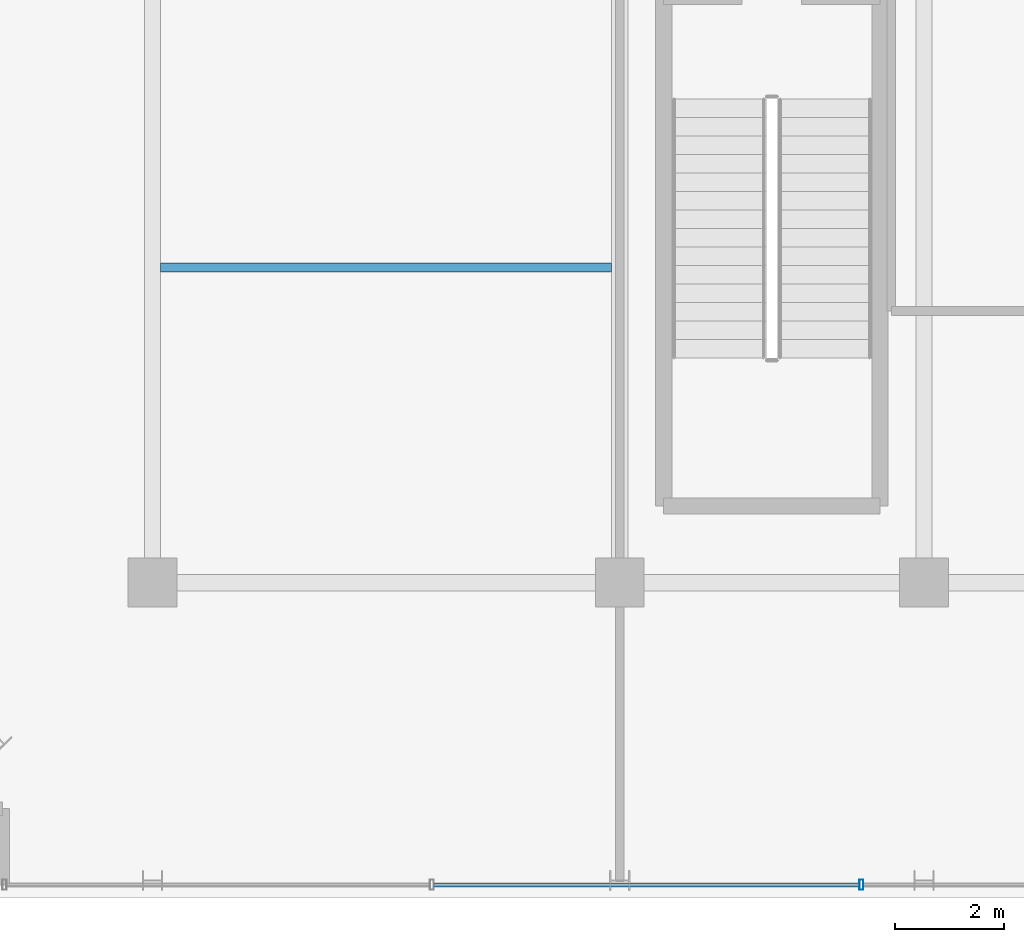
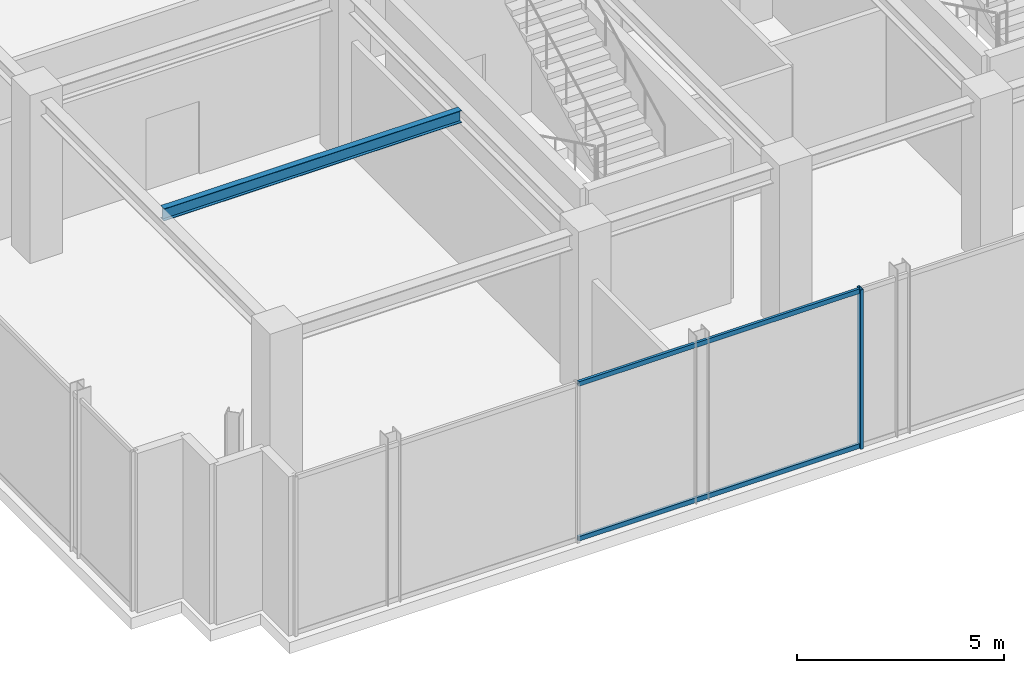
# One storey, part 6 of 28: 3 members, 1 beam, 1 element without a shape of its own.
"""IFC4 building model written with IfcOpenShell, lengths in metres."""

from ifc_helpers import new_model, si_unit, direction, frame, origin, origin_2d, place, context, subcontext, project, spatial, hollow_rectangle, i_section, extrude, source, transform, mapped, material, material_profile, profile_set, type_object, element, aggregate, save


model = new_model("IFC4")

# Units and contexts
model_context = context("Model", 3, precision=1e-05, world=origin(), true_north=direction((0.0, 1.0)))
body_context = subcontext(model_context, "Body", "Model", "MODEL_VIEW")
ifc_project = project(units=[si_unit("LENGTHUNIT", "METRE"), si_unit("AREAUNIT", "SQUARE_METRE"), si_unit("VOLUMEUNIT", "CUBIC_METRE"), si_unit("PLANEANGLEUNIT", "RADIAN"), si_unit("MASSUNIT", "GRAM", prefix="KILO")], contexts=[model_context])

# Site, building, storey
site_placement = place(None, origin())
site = spatial("IfcSite", under=ifc_project, at=site_placement, CompositionType="ELEMENT")
building_placement = place(site_placement, origin())
building = spatial("IfcBuilding", under=site, at=building_placement, Name="Nahalor Promenade Grand Hotel", CompositionType="ELEMENT")
storey_placement = place(building_placement, frame((0.0, 0.0, 352.050048828125)))
storey = spatial("IfcBuildingStorey", under=building, at=storey_placement, Name="L90", CompositionType="ELEMENT", Elevation=352.050048828125)

# Beam
ifc_material_1 = material(Name="Steel S355JR", Category="steel")
ifc_material_profile_1 = material_profile(ifc_material_1, i_section(OverallWidth=0.17, OverallDepth=0.36, WebThickness=0.008, FlangeThickness=0.0127, at=origin_2d()), Name="IPE 360")
ifc_profile_set_1 = profile_set([ifc_material_profile_1], Name="Steel S355JR")
beam_type = type_object("IfcBeamType", Name="Beam-Joist-IPE360", PredefinedType="JOIST", material=ifc_profile_set_1)
shared_shape_1 = source(origin(), body_context, "Body", "SweptSolid", [
    extrude(i_section(OverallWidth=0.17, OverallDepth=0.36, WebThickness=0.008, FlangeThickness=0.0127, at=origin_2d()), origin(), (0.0, 0.0, 1.0), 8.300048828125),
])
beam_placement = place(storey_placement, frame((-16.85009765625, -11.199951171875, 4.52001953125), z_axis=(1.0, 0.0, 0.0), x_axis=(0.0, 1.0, 0.0)))
element("IfcBeam", 1, at=beam_placement, inside=storey, type_object=beam_type, Name="BM-L90-JSW-0-1", PredefinedType="JOIST", context=body_context, shape_type="MappedRepresentation", body=[
    mapped(shared_shape_1, transform((0.0, 0.0, 0.0), scale=1.0)),
])

# Curtain wall, members
ifc_material_2 = material(Name="Anodised Bronze Aluminium EN AW-6063 T6", Category="aluminium")
curtain_wall_type = type_object("IfcCurtainWallType", Name="CW6 Crown Botanical Conservatory Curtain Wall", PredefinedType="USERDEFINED", material=ifc_material_2)
curtain_wall_placement = place(storey_placement, origin())
curtain_wall = element("IfcCurtainWall", 2, at=curtain_wall_placement, inside=storey, type_object=curtain_wall_type, Name="L90 Curtain Wall CW-L90-S-1", ObjectType="UNITISED_CURTAIN_WALL", PredefinedType="USERDEFINED")
ifc_material_profile_2 = material_profile(ifc_material_2, hollow_rectangle(XDim=0.075, YDim=0.19, WallThickness=0.005, at=origin_2d()), Name="CWM 75x190x5")
ifc_profile_set_2 = profile_set([ifc_material_profile_2], Name="Anodised Bronze Aluminium EN AW-6063 T6")
member_type_1 = type_object("IfcMemberType", Name="CWM6 Conservatory Bronze Mullion 75x190", PredefinedType="MULLION", material=ifc_profile_set_2)
shared_shape_2 = source(origin(), body_context, "Body", "SweptSolid", [
    extrude(hollow_rectangle(XDim=0.075, YDim=0.19, WallThickness=0.005, at=origin_2d()), origin(), (0.0, 0.0, 1.0), 4.699951171875),
])
member_1_placement = place(storey_placement, frame((-3.951904296875, -22.56005859375, 0.0), z_axis=(0.0, 0.0, 1.0), x_axis=(1.0, 0.0, 0.0)))
member_1 = element("IfcMember", 3, at=member_1_placement, type_object=member_type_1, Name="CW-L90-S-1 Mullion 2", PredefinedType="MULLION", context=body_context, shape_type="MappedRepresentation", body=[
    mapped(shared_shape_2, transform((0.0, 0.0, 0.0), scale=1.0)),
])
ifc_material_profile_3 = material_profile(ifc_material_2, hollow_rectangle(XDim=0.075, YDim=0.135, WallThickness=0.004, at=origin_2d()), Name="CWT 75x135x4")
ifc_profile_set_3 = profile_set([ifc_material_profile_3], Name="Anodised Bronze Aluminium EN AW-6063 T6")
member_type_2 = type_object("IfcMemberType", Name="CWT6 Conservatory Transom 75x135", PredefinedType="USERDEFINED", material=ifc_profile_set_3)
shared_shape_3 = source(origin(), body_context, "Body", "SweptSolid", [
    extrude(hollow_rectangle(XDim=0.075, YDim=0.135, WallThickness=0.004, at=origin_2d()), origin(), (0.0, 0.0, 1.0), 7.8291015625),
])
member_2_placement = place(storey_placement, frame((-11.818603515625, -22.56005859375, 0.0673828125), z_axis=(1.0, 0.0, 0.0), x_axis=(0.0, 1.0, 0.0)))
member_2 = element("IfcMember", 4, at=member_2_placement, type_object=member_type_2, Name="CW-L90-S-1 Transom 1-0", ObjectType="TRANSOM", PredefinedType="USERDEFINED", context=body_context, shape_type="MappedRepresentation", body=[
    mapped(shared_shape_3, transform((0.0, 0.0, 0.0), scale=1.0)),
])
member_3_placement = place(storey_placement, frame((-11.818603515625, -22.56005859375, 4.632568359375), z_axis=(1.0, 0.0, 0.0), x_axis=(0.0, 1.0, 0.0)))
member_3 = element("IfcMember", 5, at=member_3_placement, type_object=member_type_2, Name="CW-L90-S-1 Transom 1-1", ObjectType="TRANSOM", PredefinedType="USERDEFINED", context=body_context, shape_type="MappedRepresentation", body=[
    mapped(shared_shape_3, transform((0.0, 0.0, 0.0), scale=1.0)),
])
aggregate(curtain_wall, [member_1, member_2, member_3])

save(model, "model.ifc")
